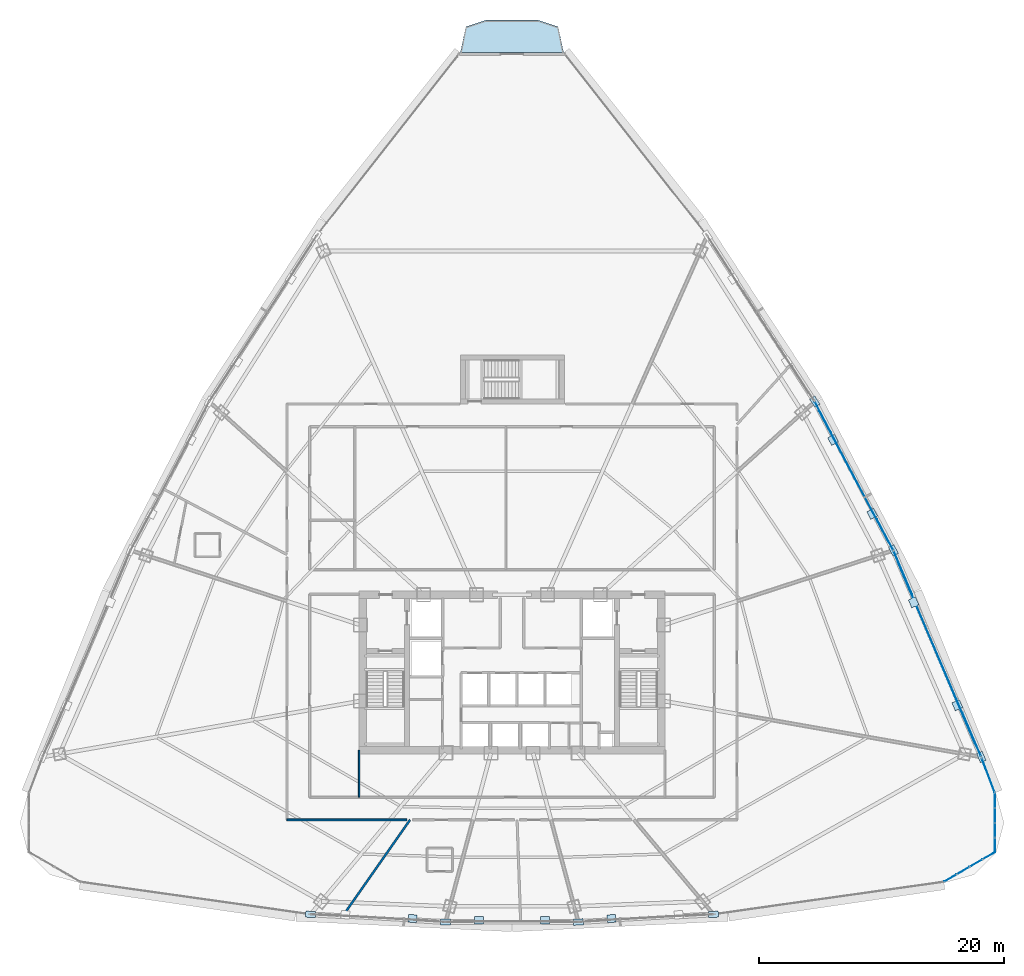
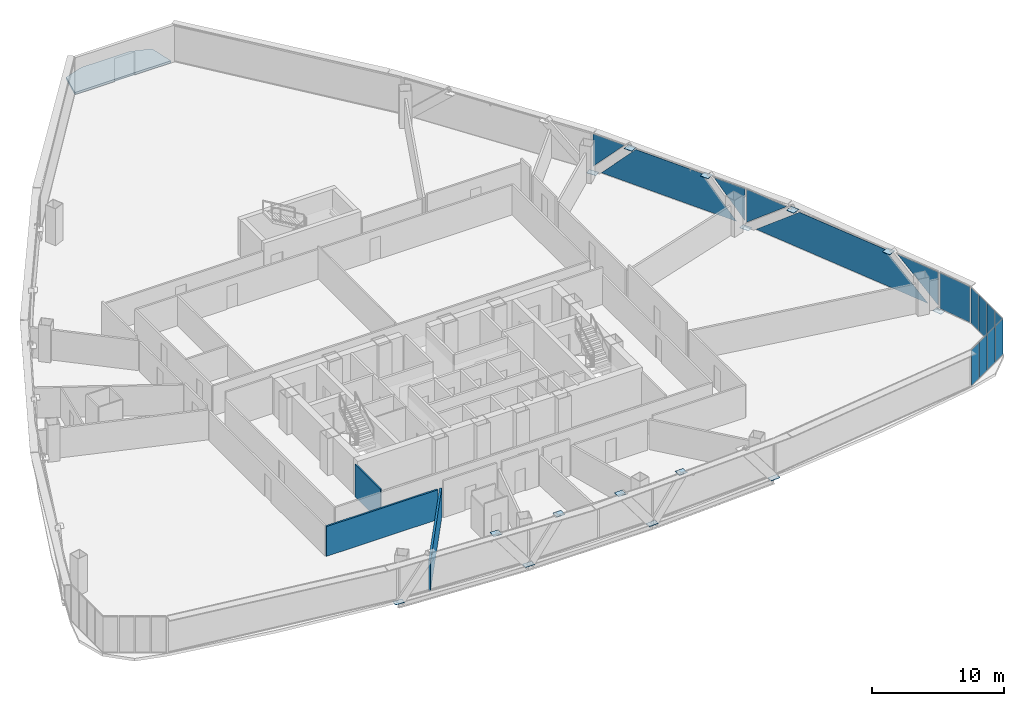
# One storey, part 32 of 40: 30 plates, 3 walls, 1 slab, 5 elements without a shape of their own.
"""IFC4 building model written with IfcOpenShell, lengths in metres."""

from ifc_helpers import new_model, si_unit, direction, frame, frame_2d, origin, origin_2d, place, context, subcontext, project, spatial, polyline, rectangle, outline, extrude, source, transform, mapped, material, layer, layer_set, type_object, element, aggregate, save


model = new_model("IFC4")

# Units and contexts
model_context = context("Model", 3, precision=1e-05, world=origin(), true_north=direction((0.0, 1.0)))
body_context = subcontext(model_context, "Body", "Model", "MODEL_VIEW")
ifc_project = project(units=[si_unit("LENGTHUNIT", "METRE"), si_unit("AREAUNIT", "SQUARE_METRE"), si_unit("VOLUMEUNIT", "CUBIC_METRE"), si_unit("PLANEANGLEUNIT", "RADIAN"), si_unit("MASSUNIT", "GRAM", prefix="KILO"), si_unit("THERMODYNAMICTEMPERATUREUNIT", "KELVIN"), si_unit("POWERUNIT", "WATT")], contexts=[model_context])

# Site, building, storey
site_placement = place(None, origin())
site = spatial("IfcSite", under=ifc_project, at=site_placement, CompositionType="ELEMENT")
building_placement = place(site_placement, origin())
building = spatial("IfcBuilding", under=site, at=building_placement, Name="Yunzhuo Pagoda Commons", CompositionType="ELEMENT")
storey_placement = place(building_placement, frame((0.0, 0.0, 159.27001953125)))
storey = spatial("IfcBuildingStorey", under=building, at=storey_placement, Name="L40", CompositionType="ELEMENT", Elevation=159.27001953125)

# Curtain wall, plates
ifc_material_1 = material(Name="Anodized aluminium 6063-T6", Category="aluminium")
ifc_layer_1 = layer(ifc_material_1, 0.14990234375)
ifc_layer_set_1 = layer_set([ifc_layer_1], Name="Anodized aluminium 6063-T6")
curtain_wall_type_1 = type_object("IfcCurtainWallType", Name="CW-MID Mid-Zone Ribbon Curtain Wall", PredefinedType="NOTDEFINED", material=ifc_layer_set_1)
curtain_wall_1_placement = place(storey_placement, origin())
curtain_wall_1 = element("IfcCurtainWall", 1, at=curtain_wall_1_placement, inside=storey, type_object=curtain_wall_type_1, Name="L40 curtain wall CW-L40-F2B2", PredefinedType="NOTDEFINED")
ifc_material_2 = material(Name="Tempered low-e double glazing", Category="glass")
ifc_layer_2 = layer(ifc_material_2, 0.028076171875)
ifc_layer_set_2 = layer_set([ifc_layer_2], Name="Tempered low-e double glazing")
plate_type_1 = type_object("IfcPlateType", Name="CW-MID-P Low-E Double Glazing 28", PredefinedType="CURTAIN_PANEL", material=ifc_layer_set_2)
plate_1_placement = place(storey_placement, frame((85.579345703125, 28.75732421875, 1.820068359375), z_axis=(0.92021678471, 0.391409081572, 0.0), x_axis=(-0.391409081572, 0.92021678471, 0.0)))
plate_1 = element("IfcPlate", 2, at=plate_1_placement, type_object=plate_type_1, Name="CW panel 1.1 lite 1", PredefinedType="CURTAIN_PANEL", context=body_context, shape_type="SweptSolid", body=[
    extrude(outline(polyline([(-1.92724609375, -1.544921875), (1.92724609375, 1.544921875), (-1.92724609375, 1.544921875), (-1.92724609375, -1.544921875)])), origin(), (0.0, 0.0, 1.0), 0.028076171875),
])
plate_2_placement = place(storey_placement, frame((82.73583984375, 35.36572265625, 1.7099609375), z_axis=(0.92021678471, 0.391409081572, 0.0), x_axis=(-0.391409081572, 0.92021678471, 0.0)))
plate_2 = element("IfcPlate", 3, at=plate_2_placement, type_object=plate_type_1, Name="CW panel 1.1 lite 2", PredefinedType="CURTAIN_PANEL", context=body_context, shape_type="SweptSolid", body=[
    extrude(outline(polyline([(-8.180908203125, -1.655029296875), (8.180908203125, -1.655029296875), (4.0517578125, 1.655029296875), (-4.0517578125, 1.655029296875), (-8.180908203125, -1.655029296875)])), origin(), (0.0, 0.0, 1.0), 0.028076171875),
])
plate_3_placement = place(storey_placement, frame((79.94775390625, 41.99755859375, 1.820068359375), z_axis=(0.92021678471, 0.391409081572, 0.0), x_axis=(-0.391409081572, 0.92021678471, 0.0)))
plate_3 = element("IfcPlate", 4, at=plate_3_placement, type_object=plate_type_1, Name="CW panel 1.1 lite 3", PredefinedType="CURTAIN_PANEL", context=body_context, shape_type="SweptSolid", body=[
    extrude(outline(polyline([(-1.92724609375, 1.544921875), (1.92724609375, -1.544921875), (1.92724609375, 1.544921875), (-1.92724609375, 1.544921875)])), origin(), (0.0, 0.0, 1.0), 0.028076171875),
])
aggregate(curtain_wall_1, [plate_1, plate_2, plate_3])

curtain_wall_2_placement = place(storey_placement, origin())
curtain_wall_2 = element("IfcCurtainWall", 5, at=curtain_wall_2_placement, inside=storey, type_object=curtain_wall_type_1, Name="L40 curtain wall CW-L40-F2B3", PredefinedType="NOTDEFINED")
plate_4_placement = place(storey_placement, frame((78.486328125, 45.118896484375, 1.86279296875), z_axis=(0.884068631112, 0.467357096324, 0.0), x_axis=(-0.467357096324, 0.884068631112, 0.0)))
plate_4 = element("IfcPlate", 6, at=plate_4_placement, type_object=plate_type_1, Name="CW panel 1.1 lite 1", PredefinedType="CURTAIN_PANEL", context=body_context, shape_type="SweptSolid", body=[
    extrude(outline(polyline([(-1.4033203125, -1.501953125), (1.4033203125, 1.501953125), (-1.4033203125, 1.501953125), (-1.4033203125, -1.501953125)])), origin(), (0.0, 0.0, 1.0), 0.028076171875),
])
plate_5_placement = place(storey_placement, frame((75.93017578125, 49.890380859375, 1.7099609375), z_axis=(0.884068631112, 0.467357096324, 0.0), x_axis=(-0.467357096324, 0.884068631112, 0.0)))
plate_5 = element("IfcPlate", 7, at=plate_5_placement, type_object=plate_type_1, Name="CW panel 1.1 lite 2", PredefinedType="CURTAIN_PANEL", context=body_context, shape_type="SweptSolid", body=[
    extrude(outline(polyline([(-6.06201171875, -1.655029296875), (6.06201171875, -1.655029296875), (2.969482421875, 1.655029296875), (-2.969482421875, 1.655029296875), (-6.06201171875, -1.655029296875)])), origin(), (0.0, 0.0, 1.0), 0.028076171875),
])
plate_6_placement = place(storey_placement, frame((73.427001953125, 54.689697265625, 1.86279296875), z_axis=(0.884068631112, 0.467357096324, 0.0), x_axis=(-0.467357096324, 0.884068631112, 0.0)))
plate_6 = element("IfcPlate", 8, at=plate_6_placement, type_object=plate_type_1, Name="CW panel 1.1 lite 3", PredefinedType="CURTAIN_PANEL", context=body_context, shape_type="SweptSolid", body=[
    extrude(outline(polyline([(-1.4033203125, 1.501953125), (1.4033203125, -1.501953125), (1.4033203125, 1.501953125), (-1.4033203125, 1.501953125)])), origin(), (0.0, 0.0, 1.0), 0.028076171875),
])
aggregate(curtain_wall_2, [plate_4, plate_5, plate_6])

# Slab
ifc_material_3 = material(Name="Concrete C40", Category="concrete")
ifc_layer_3 = layer(ifc_material_3, 0.199951171875)
ifc_layer_set_3 = layer_set([ifc_layer_3], Name="Concrete C40")
slab_type = type_object("IfcSlabType", Name="SL-BAL Vertex Balcony Deck Slab 200", PredefinedType="FLOOR", material=ifc_layer_set_3)
slab_placement = place(storey_placement, frame((0.0, 0.0, -0.199951171875)))
element("IfcSlab", 9, at=slab_placement, inside=storey, type_object=slab_type, Name="L40 corner balcony V3", PredefinedType="FLOOR", context=body_context, shape_type="SweptSolid", body=[
    extrude(outline(polyline([(52.220703125, 84.548095703125), (43.779296875, 84.548095703125), (44.229248046875, 86.64306640625), (45.8896484375, 87.193115234375), (50.1103515625, 87.193115234375), (51.770751953125, 86.64306640625), (52.220703125, 84.548095703125)])), origin(), (0.0, 0.0, 1.0), 0.199951171875),
])

# Plates
ifc_material_4 = material(Name="Structural steel Q355B", Category="steel")
ifc_layer_4 = layer(ifc_material_4, 0.028076171875)
ifc_layer_set_4 = layer_set([ifc_layer_4], Name="Structural steel Q355B")
plate_type_2 = type_object("IfcPlateType", Name="SP-ND1 Lattice Node Cap Plate 800x500x28", PredefinedType="USERDEFINED", material=ifc_layer_set_4)
shared_shape_1 = source(origin(), body_context, "Body", "SweptSolid", [
    extrude(rectangle(XDim=0.800048828125, YDim=0.5, at=origin_2d()), origin(), (0.0, 0.0, 1.0), 0.028076171875),
])
for number, where, z_axis, x_axis, name in (
    (10, (31.527099609375, 14.068603515625, -0.27392578125), (0.0, 0.0, 1.0), (0.998404508044, -0.056466258222, 0.0), "L40 diamond node plate F1.1A"),
    (11, (42.572509765625, 13.44384765625, -0.27392578125), (0.0, 0.0, 1.0), (1.0, 0.0, 0.0), "L40 diamond node plate F1.2A"),
    (12, (53.427490234375, 13.44384765625, -0.27392578125), (0.0, 0.0, 1.0), (0.998404508044, 0.056466258222, 0.0), "L40 diamond node plate F1.3A"),
    (13, (64.472900390625, 14.068603515625, -0.27392578125), (0.0, 0.0, 1.0), (0.998404508044, 0.056466258222, 0.0), "L40 diamond node plate F1.3B"),
    (14, (86.3701171875, 26.934326171875, -0.27392578125), (0.0, 0.0, 1.0), (-0.39140578875, 0.920218185287, 0.0), "L40 diamond node plate F2.1A"),
    (15, (79.182861328125, 43.831787109375, -0.27392578125), (0.0, 0.0, 1.0), (-0.46735900579, 0.884067621682, 0.0), "L40 diamond node plate F2.2A"),
    (16, (72.755615234375, 55.989990234375, -0.27392578125), (0.0, 0.0, 1.0), (-0.543526101434, 0.8393922665, 0.0), "L40 diamond node plate F2.3A"),
):
    element("IfcPlate", number, at=place(storey_placement, frame(where, z_axis=z_axis, x_axis=x_axis)), inside=storey, type_object=plate_type_2, Name=name, ObjectType="STIFFENER_PLATE", PredefinedType="USERDEFINED", context=body_context, shape_type="MappedRepresentation", body=[
        mapped(shared_shape_1, transform((0.0, 0.0, 0.0), scale=1.0)),
    ])
shared_shape_2 = source(origin(), body_context, "Body", "SweptSolid", [
    extrude(rectangle(XDim=0.699951171875, YDim=0.631591796875, at=origin_2d()), origin(), (0.0, 0.0, 1.0), 0.035888671875),
])
for number, where, z_axis, x_axis, name in (
    (17, (39.864013671875, 13.73046875, 3.3818359375), (0.0, 0.0, 1.0), (0.998404508044, -0.056466258222, 0.0), "L40 setback lattice tie plate F1.1R"),
    (18, (56.135986328125, 13.73046875, 3.3818359375), (0.0, 0.0, 1.0), (0.998404508044, 0.056466258222, 0.0), "L40 setback lattice tie plate F1.3L"),
):
    element("IfcPlate", number, at=place(storey_placement, frame(where, z_axis=z_axis, x_axis=x_axis)), inside=storey, type_object=plate_type_2, Name=name, ObjectType="STIFFENER_PLATE", PredefinedType="USERDEFINED", context=body_context, shape_type="MappedRepresentation", body=[
        mapped(shared_shape_2, transform((0.0, 0.0, 0.0), scale=1.0)),
    ])
shared_shape_3 = source(origin(), body_context, "Body", "SweptSolid", [
    extrude(rectangle(XDim=0.699951171875, YDim=0.615478515625, at=origin_2d()), origin(), (0.0, 0.0, 1.0), 0.035888671875),
])
for number, where, z_axis, x_axis, name in (
    (19, (45.3037109375, 13.575439453125, 3.3818359375), (0.0, 0.0, 1.0), (1.0, 0.0, 0.0), "L40 setback lattice tie plate F1.2L"),
    (20, (50.6962890625, 13.575439453125, 3.3818359375), (0.0, 0.0, 1.0), (1.0, 0.0, 0.0), "L40 setback lattice tie plate F1.2R"),
):
    element("IfcPlate", number, at=place(storey_placement, frame(where, z_axis=z_axis, x_axis=x_axis)), inside=storey, type_object=plate_type_2, Name=name, ObjectType="STIFFENER_PLATE", PredefinedType="USERDEFINED", context=body_context, shape_type="MappedRepresentation", body=[
        mapped(shared_shape_3, transform((0.0, 0.0, 0.0), scale=1.0)),
    ])
shared_shape_4 = source(origin(), body_context, "Body", "SweptSolid", [
    extrude(rectangle(XDim=0.699951171875, YDim=0.672119140625, at=origin_2d()), origin(), (0.0, 0.0, 1.0), 0.035888671875),
])
plate_7_placement = place(storey_placement, frame((84.41259765625, 31.170166015625, 3.3818359375), z_axis=(0.0, 0.0, 1.0), x_axis=(-0.39140578875, 0.920218185287, 0.0)))
element("IfcPlate", 21, at=plate_7_placement, inside=storey, type_object=plate_type_2, Name="L40 setback lattice tie plate F2.1L", ObjectType="STIFFENER_PLATE", PredefinedType="USERDEFINED", context=body_context, shape_type="MappedRepresentation", body=[
    mapped(shared_shape_4, transform((0.0, 0.0, 0.0), scale=1.0)),
])
shared_shape_5 = source(origin(), body_context, "Body", "SweptSolid", [
    extrude(rectangle(XDim=0.699951171875, YDim=0.627685546875, at=origin_2d()), origin(), (0.0, 0.0, 1.0), 0.035888671875),
])
plate_8_placement = place(storey_placement, frame((77.448974609375, 46.815185546875, 3.3818359375), z_axis=(0.0, 0.0, 1.0), x_axis=(-0.46735900579, 0.884067621682, 0.0)))
element("IfcPlate", 22, at=plate_8_placement, inside=storey, type_object=plate_type_2, Name="L40 setback lattice tie plate F2.2L", ObjectType="STIFFENER_PLATE", PredefinedType="USERDEFINED", context=body_context, shape_type="MappedRepresentation", body=[
    mapped(shared_shape_5, transform((0.0, 0.0, 0.0), scale=1.0)),
])
shared_shape_6 = source(origin(), body_context, "Body", "SweptSolid", [
    extrude(rectangle(XDim=0.699951171875, YDim=0.627197265625, at=origin_2d()), origin(), (0.0, 0.0, 1.0), 0.035888671875),
])
plate_9_placement = place(storey_placement, frame((74.250244140625, 52.868896484375, 3.3818359375), z_axis=(0.0, 0.0, 1.0), x_axis=(-0.46735900579, 0.884067621682, 0.0)))
element("IfcPlate", 23, at=plate_9_placement, inside=storey, type_object=plate_type_2, Name="L40 setback lattice tie plate F2.2R", ObjectType="STIFFENER_PLATE", PredefinedType="USERDEFINED", context=body_context, shape_type="MappedRepresentation", body=[
    mapped(shared_shape_6, transform((0.0, 0.0, 0.0), scale=1.0)),
])
shared_shape_7 = source(origin(), body_context, "Body", "SweptSolid", [
    extrude(rectangle(XDim=0.699951171875, YDim=0.640869140625, at=origin_2d()), origin(), (0.0, 0.0, 1.0), 0.035888671875),
])
plate_10_placement = place(storey_placement, frame((80.83642578125, 39.582275390625, 3.3818359375), z_axis=(0.0, 0.0, 1.0), x_axis=(-0.39140578875, 0.920218185287, 0.0)))
element("IfcPlate", 24, at=plate_10_placement, inside=storey, type_object=plate_type_2, Name="L40 setback lattice tie plate F2.1R", ObjectType="STIFFENER_PLATE", PredefinedType="USERDEFINED", context=body_context, shape_type="MappedRepresentation", body=[
    mapped(shared_shape_7, transform((0.0, 0.0, 0.0), scale=1.0)),
])

# Curtain wall, plate
curtain_wall_3_placement = place(storey_placement, origin())
curtain_wall_3 = element("IfcCurtainWall", 25, at=curtain_wall_3_placement, inside=storey, type_object=curtain_wall_type_1, Name="L40 curtain wall CW-L40-F2B1", PredefinedType="NOTDEFINED")
shared_shape_8 = source(origin(), body_context, "Body", "SweptSolid", [
    extrude(rectangle(XDim=2.937255859375, YDim=0.028076171875, at=origin_2d()), origin(), (0.0, 0.0, 1.0), 3.31005859375),
])
plate_11_placement = place(storey_placement, frame((86.937744140625, 25.4345703125, 0.054931640625), z_axis=(0.0, 0.0, 1.0), x_axis=(-0.35399648846, 0.935246751482, 0.0)))
plate_11 = element("IfcPlate", 26, at=plate_11_placement, type_object=plate_type_1, Name="CW panel 1.1", PredefinedType="CURTAIN_PANEL", context=body_context, shape_type="MappedRepresentation", body=[
    mapped(shared_shape_8, transform((0.0, 0.0, 0.0), scale=1.0)),
])
aggregate(curtain_wall_3, [plate_11])

# Curtain wall, plates
ifc_layer_5 = layer(ifc_material_1, 0.1298828125)
ifc_layer_set_5 = layer_set([ifc_layer_5], Name="Anodized aluminium 6063-T6")
curtain_wall_type_2 = type_object("IfcCurtainWallType", Name="CW-VTX Rounded Corner Curtain Wall", PredefinedType="NOTDEFINED", material=ifc_layer_set_5)
curtain_wall_4_placement = place(storey_placement, origin())
curtain_wall_4 = element("IfcCurtainWall", 27, at=curtain_wall_4_placement, inside=storey, type_object=curtain_wall_type_2, Name="L40 curtain wall CW-L40-VTX2S1", PredefinedType="NOTDEFINED")
ifc_layer_6 = layer(ifc_material_2, 0.02587890625)
ifc_layer_set_6 = layer_set([ifc_layer_6], Name="Tempered low-e double glazing")
plate_type_3 = type_object("IfcPlateType", Name="CW-VTX-P Low-E Double Glazing 26", PredefinedType="CURTAIN_PANEL", material=ifc_layer_set_6)
shared_shape_9 = source(origin(), body_context, "Body", "SweptSolid", [
    extrude(rectangle(XDim=1.141845703125, YDim=0.028076171875, at=origin_2d()), origin(), (0.0, 0.0, 1.0), 3.31005859375),
])
plate_12_placement = place(storey_placement, frame((83.83984375, 17.03662109375, 0.054931640625), z_axis=(0.0, 0.0, 1.0), x_axis=(0.865427217457, 0.501034660762, 0.0)))
plate_12 = element("IfcPlate", 28, at=plate_12_placement, type_object=plate_type_3, Name="CW panel 1.1", PredefinedType="CURTAIN_PANEL", context=body_context, shape_type="MappedRepresentation", body=[
    mapped(shared_shape_9, transform((0.0, 0.0, 0.0), scale=1.0)),
])
plate_13_placement = place(storey_placement, frame((86.994873046875, 18.86328125, 0.054931640625), z_axis=(0.0, 0.0, 1.0), x_axis=(0.865427217457, 0.501034660762, 0.0)))
plate_13 = element("IfcPlate", 29, at=plate_13_placement, type_object=plate_type_3, Name="CW panel 4.1", PredefinedType="CURTAIN_PANEL", context=body_context, shape_type="MappedRepresentation", body=[
    mapped(shared_shape_9, transform((0.0, 0.0, 0.0), scale=1.0)),
])

curtain_wall_5_placement = place(storey_placement, origin())
curtain_wall_5 = element("IfcCurtainWall", 30, at=curtain_wall_5_placement, inside=storey, type_object=curtain_wall_type_2, Name="L40 curtain wall CW-L40-VTX2S2", PredefinedType="NOTDEFINED")
plate_14_placement = place(storey_placement, frame((87.494384765625, 19.7333984375, 0.054931640625), z_axis=(0.0, 0.0, 1.0), x_axis=(-0.00359372042, 0.999993542566, 0.0)))
plate_14 = element("IfcPlate", 31, at=plate_14_placement, type_object=plate_type_3, Name="CW panel 1.1", PredefinedType="CURTAIN_PANEL", context=body_context, shape_type="MappedRepresentation", body=[
    mapped(shared_shape_9, transform((0.0, 0.0, 0.0), scale=1.0)),
])
plate_15_placement = place(storey_placement, frame((87.481201171875, 23.37890625, 0.054931640625), z_axis=(0.0, 0.0, 1.0), x_axis=(-0.00359372042, 0.999993542566, 0.0)))
plate_15 = element("IfcPlate", 32, at=plate_15_placement, type_object=plate_type_3, Name="CW panel 4.1", PredefinedType="CURTAIN_PANEL", context=body_context, shape_type="MappedRepresentation", body=[
    mapped(shared_shape_9, transform((0.0, 0.0, 0.0), scale=1.0)),
])

# Plate
shared_shape_10 = source(origin(), body_context, "Body", "SweptSolid", [
    extrude(rectangle(XDim=1.16943359375, YDim=0.028076171875, at=origin_2d()), origin(), (0.0, 0.0, 1.0), 3.31005859375),
])
plate_16_placement = place(storey_placement, frame((84.887451171875, 17.643310546875, 0.054931640625), z_axis=(0.0, 0.0, 1.0), x_axis=(0.865427217457, 0.501034660762, 0.0)))
plate_16 = element("IfcPlate", 33, at=plate_16_placement, type_object=plate_type_3, Name="CW panel 2.1", PredefinedType="CURTAIN_PANEL", context=body_context, shape_type="MappedRepresentation", body=[
    mapped(shared_shape_10, transform((0.0, 0.0, 0.0), scale=1.0)),
])

plate_17_placement = place(storey_placement, frame((85.947021484375, 18.2568359375, 0.054931640625), z_axis=(0.0, 0.0, 1.0), x_axis=(0.865427217457, 0.501034660762, 0.0)))
plate_17 = element("IfcPlate", 34, at=plate_17_placement, type_object=plate_type_3, Name="CW panel 3.1", PredefinedType="CURTAIN_PANEL", context=body_context, shape_type="MappedRepresentation", body=[
    mapped(shared_shape_10, transform((0.0, 0.0, 0.0), scale=1.0)),
])

aggregate(curtain_wall_4, [plate_12, plate_16, plate_17, plate_13])

plate_18_placement = place(storey_placement, frame((87.489990234375, 20.94384765625, 0.054931640625), z_axis=(0.0, 0.0, 1.0), x_axis=(-0.00359372042, 0.999993542566, 0.0)))
plate_18 = element("IfcPlate", 35, at=plate_18_placement, type_object=plate_type_3, Name="CW panel 2.1", PredefinedType="CURTAIN_PANEL", context=body_context, shape_type="MappedRepresentation", body=[
    mapped(shared_shape_10, transform((0.0, 0.0, 0.0), scale=1.0)),
])

plate_19_placement = place(storey_placement, frame((87.485595703125, 22.168212890625, 0.054931640625), z_axis=(0.0, 0.0, 1.0), x_axis=(-0.00359372042, 0.999993542566, 0.0)))
plate_19 = element("IfcPlate", 36, at=plate_19_placement, type_object=plate_type_3, Name="CW panel 3.1", PredefinedType="CURTAIN_PANEL", context=body_context, shape_type="MappedRepresentation", body=[
    mapped(shared_shape_10, transform((0.0, 0.0, 0.0), scale=1.0)),
])

aggregate(curtain_wall_5, [plate_14, plate_18, plate_19, plate_15])

# Walls
ifc_material_5 = material(Name="Gypsum plasterboard on acoustic stud")
ifc_layer_7 = layer(ifc_material_5, 0.155029296875)
ifc_layer_set_7 = layer_set([ifc_layer_7], Name="Gypsum plasterboard on acoustic stud")
wall_type_1 = type_object("IfcWallType", Name="W-COR2 Mid-Zone Rated Corridor Wall 155", PredefinedType="PARTITIONING", material=ifc_layer_set_7)
wall_1_placement = place(storey_placement, frame((39.39892578125, 21.800048828125, 0.0), z_axis=(0.0, 0.0, 1.0), x_axis=(-1.0, 0.0, 0.0)))
element("IfcWall", 37, at=wall_1_placement, inside=storey, type_object=wall_type_1, Name="L40 interior wall IW-L40-CWL18", PredefinedType="PARTITIONING", context=body_context, shape_type="SweptSolid", body=[
    extrude(rectangle(XDim=9.798828125, YDim=0.155029296875, at=frame_2d((4.8994140625, 0.0))), origin(), (0.0, 0.0, 1.0), 2.77001953125),
])
ifc_layer_8 = layer(ifc_material_5, 0.1201171875)
ifc_layer_set_8 = layer_set([ifc_layer_8], Name="Gypsum plasterboard on acoustic stud")
wall_type_2 = type_object("IfcWallType", Name="W-PRT1 Suite & Bathroom Partition 120", PredefinedType="PARTITIONING", material=ifc_layer_set_8)
wall_2_placement = place(storey_placement, frame((35.5, 23.64990234375, 0.0), z_axis=(0.0, 0.0, 1.0), x_axis=(0.0, 1.0, 0.0)))
element("IfcWall", 38, at=wall_2_placement, inside=storey, type_object=wall_type_2, Name="L40 interior wall IW-L40-SFLD1", PredefinedType="PARTITIONING", context=body_context, shape_type="SweptSolid", body=[
    extrude(rectangle(XDim=3.85009765625, YDim=0.1201171875, at=frame_2d((1.925048828125, 0.0))), origin(), (0.0, 0.0, 1.0), 3.02001953125),
])
ifc_layer_9 = layer(ifc_material_5, 0.175048828125)
ifc_layer_set_9 = layer_set([ifc_layer_9], Name="Gypsum plasterboard on acoustic stud")
wall_type_3 = type_object("IfcWallType", Name="W-PRT3 Mid-Zone Demising Wall 175", PredefinedType="PARTITIONING", material=ifc_layer_set_9)
wall_3_placement = place(storey_placement, frame((39.66748046875, 21.800048828125, 0.0), z_axis=(0.0, 0.0, 1.0), x_axis=(-0.573578164834, -0.81915083399, 0.0)))
element("IfcWall", 39, at=wall_3_placement, inside=storey, type_object=wall_type_3, Name="L40 interior wall IW-L40-RAD08", PredefinedType="PARTITIONING", context=body_context, shape_type="SweptSolid", body=[
    extrude(rectangle(XDim=9.61962890625, YDim=0.175048828125, at=frame_2d((4.809814453125, 0.0))), origin(), (0.0, 0.0, 1.0), 2.77001953125),
])

save(model, "model.ifc")
